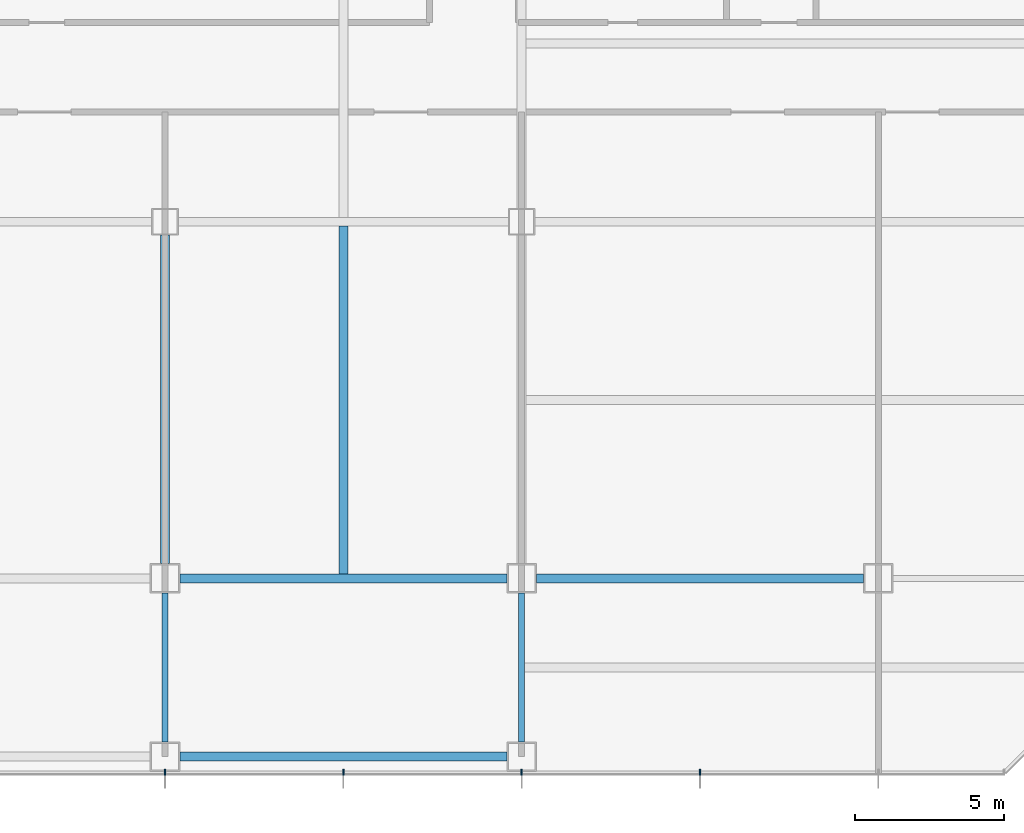
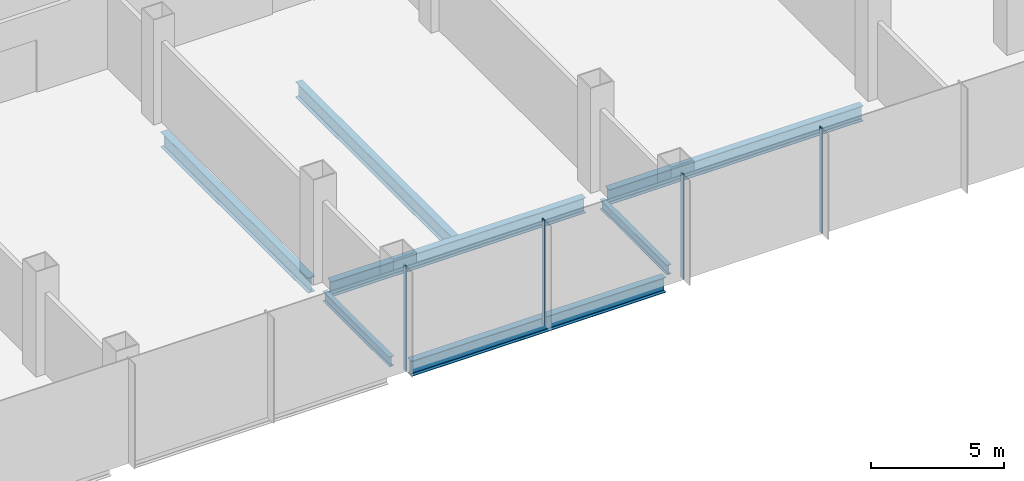
# One storey, part 8 of 33: 7 beams, 4 members, 1 element without a shape of its own.
"""IFC4 building model written with IfcOpenShell, lengths in metres."""

import ifcopenshell
import ifcopenshell.guid

model = None  # the IFC model being written
_history = None  # IfcOwnerHistory: only IFC2X3 demands one
_inside = {}  # id of a spatial element -> (the spatial element, [elements in it])
_under = {}  # id of a project, library or spatial element -> (it, [spatial elements below it])
_declared = {}  # id of a project -> (the project, [libraries it declares])
_typed = {}  # id of a type object -> (the type object, [elements of that type])
_made_of = {}  # id of a material, layer set ... -> (it, [elements and type objects made of it])


def new_model(schema):
    """Start an empty IFC model of exactly this schema.

    Asked for "IFC4X3", IfcOpenShell would pick the latest addendum, in which some entities
    have other attributes; the version numbers below select the first issue.
    IFC2X3 requires an IfcOwnerHistory on every rooted entity: one is made here for all.
    """
    global model, _history
    if schema == "IFC4X3":
        model = ifcopenshell.file(schema_version=(4, 3, 0, 0))
    else:
        model = ifcopenshell.file(schema=schema)
    _inside.clear()
    _under.clear()
    _declared.clear()
    _typed.clear()
    _made_of.clear()
    _history = None
    if model.schema == "IFC2X3":
        org = make("IfcOrganization", Name="unknown")
        user = make(
            "IfcPersonAndOrganization",
            ThePerson=make("IfcPerson", FamilyName="unknown"),
            TheOrganization=org,
        )
        app = make(
            "IfcApplication",
            ApplicationDeveloper=org,
            Version="unknown",
            ApplicationFullName="unknown",
            ApplicationIdentifier="unknown",
        )
        _history = make(
            "IfcOwnerHistory",
            OwningUser=user,
            OwningApplication=app,
            ChangeAction="ADDED",
            CreationDate=0,
        )
    return model


def make(cls, **values):
    """One entity of the class cls with the attributes given. An attribute that is None is left unset."""
    return model.create_entity(
        cls, **{name: value for name, value in values.items() if value is not None}
    )


def rooted(cls, **values):
    """An entity with a GlobalId (a new one), such as an element, a storey or a relation."""
    return make(cls, GlobalId=ifcopenshell.guid.new(), OwnerHistory=_history, **values)


def si_unit(unit_type, name, prefix=None):
    """IfcSIUnit, for example si_unit("LENGTHUNIT", "METRE", prefix="MILLI")."""
    return make("IfcSIUnit", UnitType=unit_type, Prefix=prefix, Name=name)


def assignment(units):
    """IfcUnitAssignment: the units of a project."""
    return None if units is None else make("IfcUnitAssignment", Units=units)


def point(xyz):
    """IfcCartesianPoint."""
    return None if xyz is None else make("IfcCartesianPoint", Coordinates=xyz)


def direction(xyz):
    """IfcDirection."""
    return None if xyz is None else make("IfcDirection", DirectionRatios=xyz)


def frame(location, z_axis=None, x_axis=None):
    """IfcAxis2Placement3D, a coordinate frame: its origin and axes. An axis left out is left unset."""
    return make(
        "IfcAxis2Placement3D",
        Location=point(location),
        Axis=direction(z_axis),
        RefDirection=direction(x_axis),
    )


def frame_2d(location, x_axis=None):
    """IfcAxis2Placement2D, a coordinate frame in the plane: its origin and x axis."""
    return make(
        "IfcAxis2Placement2D", Location=point(location), RefDirection=direction(x_axis)
    )


def origin():
    """The frame at (0, 0, 0) with its axes left unset."""
    return frame((0.0, 0.0, 0.0))


def origin_2d():
    """The frame at (0, 0) in the plane with its x axis left unset."""
    return frame_2d((0.0, 0.0))


def place(relative_to, where):
    """IfcLocalPlacement: puts the frame where relative to a parent placement (None: the world)."""
    return make(
        "IfcLocalPlacement", PlacementRelTo=relative_to, RelativePlacement=where
    )


def context(
    kind, dimensions, precision=None, world=None, true_north=None, identifier=None
):
    """IfcGeometricRepresentationContext, for example the 3D "Model" context."""
    return make(
        "IfcGeometricRepresentationContext",
        ContextIdentifier=identifier,
        ContextType=kind,
        CoordinateSpaceDimension=dimensions,
        Precision=precision,
        WorldCoordinateSystem=world,
        TrueNorth=true_north,
    )


def subcontext(parent, identifier, kind, view, scale=None):
    """IfcGeometricRepresentationSubContext, for example "Body" below "Model"."""
    return make(
        "IfcGeometricRepresentationSubContext",
        ContextIdentifier=identifier,
        ContextType=kind,
        ParentContext=parent,
        TargetScale=scale,
        TargetView=view,
    )


def project(units=None, contexts=None):
    """IfcProject with its units and contexts."""
    return rooted(
        "IfcProject",
        Name="project",
        RepresentationContexts=contexts,
        UnitsInContext=assignment(units),
    )


def spatial(cls, under=None, at=None, **own):
    """A site, building, storey or space (cls), placed at a placement, below another one or the project."""
    s = rooted(cls, ObjectPlacement=at, **own)
    if under is not None:
        _under.setdefault(under.id(), (under, []))[1].append(s)
    return s


def profile(cls, at=None, kind="AREA", **sizes):
    """A parametric profile (cls). Its sizes go by their IFC names, for example OverallWidth=200.0."""
    return make(cls, ProfileType=kind, Position=at, **sizes)


def rectangle(**sizes):
    """IfcRectangleProfileDef."""
    return profile("IfcRectangleProfileDef", **sizes)


def i_section(**sizes):
    """IfcIShapeProfileDef."""
    return profile("IfcIShapeProfileDef", **sizes)


def extrude(swept, where, along, depth):
    """IfcExtrudedAreaSolid: the profile swept, set in the frame where, extruded along a direction by depth."""
    return make(
        "IfcExtrudedAreaSolid",
        SweptArea=swept,
        Position=where,
        ExtrudedDirection=direction(along),
        Depth=depth,
    )


def shape(context_of_items, identifier, shape_type, items):
    """IfcShapeRepresentation: the items that make up one representation, for example the "Body"."""
    return make(
        "IfcShapeRepresentation",
        ContextOfItems=context_of_items,
        RepresentationIdentifier=identifier,
        RepresentationType=shape_type,
        Items=items,
    )


def material(Name=None, Category=None):
    """IfcMaterial."""
    return make("IfcMaterial", Name=Name, Category=Category)


def material_profile(
    of_material, cross_section, Name=None, Category=None, Priority=None
):
    """IfcMaterialProfile: a cross section and its material."""
    return make(
        "IfcMaterialProfile",
        Name=Name,
        Material=of_material,
        Profile=cross_section,
        Priority=Priority,
        Category=Category,
    )


def profile_set(profiles, Name=None, composite=None):
    """IfcMaterialProfileSet."""
    return make(
        "IfcMaterialProfileSet",
        Name=Name,
        MaterialProfiles=profiles,
        CompositeProfile=composite,
    )


def made_of(thing, what):
    """Note that an element or type object is made of a material, layer set ...; save() writes the relation."""
    if what is not None:
        _made_of.setdefault(what.id(), (what, []))[1].append(thing)
    return thing


def type_object(cls, material=None, **own):
    """A type object (cls), such as IfcWallType, which elements share."""
    return made_of(rooted(cls, **own), material)


def element(
    cls,
    number,
    at=None,
    inside=None,
    cuts=None,
    type_object=None,
    material=None,
    context=None,
    identifier="Body",
    shape_type=None,
    held_by="IfcProductDefinitionShape",
    body=None,
    shapes=None,
    **own,
):
    """One element of the class cls, such as IfcWall. Its Tag is "e" and its number.

    at: its placement. inside: the storey or other place that contains it. cuts: it is an
    opening in that element (IfcRelVoidsElement). A single representation is given by context,
    identifier, shape_type and body (its items); several are given by shapes. held_by: the class
    of the entity that holds the representations. save() writes the other relations.
    """
    e = rooted(cls, Tag="e%d" % number, ObjectPlacement=at, **own)
    if body is not None:
        shapes = [shape(context, identifier, shape_type, body)]
    if shapes is not None:
        e.Representation = make(held_by, Representations=shapes)
    if inside is not None:
        _inside.setdefault(inside.id(), (inside, []))[1].append(e)
    if cuts is not None:
        rooted(
            "IfcRelVoidsElement", RelatingBuildingElement=cuts, RelatedOpeningElement=e
        )
    if type_object is not None:
        _typed.setdefault(type_object.id(), (type_object, []))[1].append(e)
    return made_of(e, material)


def aggregate(whole, parts):
    """IfcRelAggregates: a whole, such as a stair, and the parts it consists of."""
    return rooted("IfcRelAggregates", RelatingObject=whole, RelatedObjects=parts)


def save(model, path):
    """Write the relations noted so far, then the file.

    IfcRelAggregates (storeys below a building ...), IfcRelContainedInSpatialStructure (elements
    in a storey), IfcRelDefinesByType, IfcRelAssociatesMaterial and IfcRelDeclares: one each for
    every whole, place, type object, material and project.
    """
    for whole, parts in _under.values():
        aggregate(whole, parts)
    for where, things in _inside.values():
        rooted(
            "IfcRelContainedInSpatialStructure",
            RelatedElements=things,
            RelatingStructure=where,
        )
    for kind, things in _typed.values():
        rooted("IfcRelDefinesByType", RelatedObjects=things, RelatingType=kind)
    for what, things in _made_of.values():
        rooted("IfcRelAssociatesMaterial", RelatedObjects=things, RelatingMaterial=what)
    for by, libraries in _declared.values():
        rooted("IfcRelDeclares", RelatingContext=by, RelatedDefinitions=libraries)
    model.write(path)


model = new_model("IFC4")

# Units and contexts
model_context = context("Model", 3, precision=1e-05, world=origin(), true_north=direction((0.0, 1.0)))
body_context = subcontext(model_context, "Body", "Model", "MODEL_VIEW")
ifc_project = project(units=[si_unit("LENGTHUNIT", "METRE"), si_unit("AREAUNIT", "SQUARE_METRE"), si_unit("VOLUMEUNIT", "CUBIC_METRE"), si_unit("PLANEANGLEUNIT", "RADIAN"), si_unit("MASSUNIT", "GRAM", prefix="KILO")], contexts=[model_context])

# Site, building, storey
site_placement = place(None, origin())
site = spatial("IfcSite", under=ifc_project, at=site_placement, CompositionType="ELEMENT")
building_placement = place(site_placement, origin())
building = spatial("IfcBuilding", under=site, at=building_placement, Name="Sorahane Residences", CompositionType="ELEMENT")
storey_placement = place(building_placement, frame((0.0, 0.0, 25.199951171875)))
storey = spatial("IfcBuildingStorey", under=building, at=storey_placement, Name="L03", CompositionType="ELEMENT", Elevation=25.199951171875)

# Curtain wall, members
ifc_material_1 = material(Name="Dark low-e glass and black anodised aluminium", Category="aluminium")
curtain_wall_type = type_object("IfcCurtainWallType", Name="Curtain wall CW-3 Podium unitised wall", PredefinedType="NOTDEFINED", material=ifc_material_1)
curtain_wall_placement = place(storey_placement, origin())
curtain_wall = element("IfcCurtainWall", 1, at=curtain_wall_placement, inside=storey, type_object=curtain_wall_type, Name="CW-3 curtain wall L03 S1", PredefinedType="NOTDEFINED")
ifc_material_2 = material(Name="Black anodised aluminium", Category="aluminium")
ifc_material_profile_1 = material_profile(ifc_material_2, rectangle(XDim=0.199951171875, YDim=0.050048828125, at=origin_2d()), Name="Curtain wall mullion CW-3 black anodised aluminium 50x200")
ifc_profile_set_1 = profile_set([ifc_material_profile_1], Name="Black anodised aluminium")
member_type = type_object("IfcMemberType", Name="Curtain wall mullion CW-3 black anodised aluminium 50x200", PredefinedType="MULLION", material=ifc_profile_set_1)
member_1_placement = place(storey_placement, frame((36.0, -6.52001953125, -0.39990234375), z_axis=(0.0, 0.0, 1.0), x_axis=(0.0, -1.0, 0.0)))
member_1 = element("IfcMember", 2, at=member_1_placement, type_object=member_type, Name="CW-3 mullion L03 S1.6", PredefinedType="MULLION", context=body_context, shape_type="SweptSolid", body=[
    extrude(rectangle(XDim=0.199951171875, YDim=0.050048828125, at=origin_2d()), origin(), (0.0, 0.0, 1.0), 4.800048828125),
])
member_2_placement = place(storey_placement, frame((42.0, -6.52001953125, -0.39990234375), z_axis=(0.0, 0.0, 1.0), x_axis=(0.0, -1.0, 0.0)))
member_2 = element("IfcMember", 3, at=member_2_placement, type_object=member_type, Name="CW-3 mullion L03 S1.7", PredefinedType="MULLION", context=body_context, shape_type="SweptSolid", body=[
    extrude(rectangle(XDim=0.199951171875, YDim=0.050048828125, at=origin_2d()), origin(), (0.0, 0.0, 1.0), 4.800048828125),
])
member_3_placement = place(storey_placement, frame((48.0, -6.52001953125, -0.39990234375), z_axis=(0.0, 0.0, 1.0), x_axis=(0.0, -1.0, 0.0)))
member_3 = element("IfcMember", 4, at=member_3_placement, type_object=member_type, Name="CW-3 mullion L03 S1.8", PredefinedType="MULLION", context=body_context, shape_type="SweptSolid", body=[
    extrude(rectangle(XDim=0.199951171875, YDim=0.050048828125, at=origin_2d()), origin(), (0.0, 0.0, 1.0), 4.800048828125),
])
member_4_placement = place(storey_placement, frame((54.0, -6.52001953125, -0.39990234375), z_axis=(0.0, 0.0, 1.0), x_axis=(0.0, -1.0, 0.0)))
member_4 = element("IfcMember", 5, at=member_4_placement, type_object=member_type, Name="CW-3 mullion L03 S1.9", PredefinedType="MULLION", context=body_context, shape_type="SweptSolid", body=[
    extrude(rectangle(XDim=0.199951171875, YDim=0.050048828125, at=origin_2d()), origin(), (0.0, 0.0, 1.0), 4.800048828125),
])
aggregate(curtain_wall, [member_1, member_2, member_3, member_4])

# Beams
ifc_material_3 = material(Name="Steel Q355B", Category="steel")
ifc_material_profile_2 = material_profile(ifc_material_3, i_section(OverallWidth=0.199951171875, OverallDepth=0.449951171875, WebThickness=0.009033203125, FlangeThickness=0.013916015625, FilletRadius=0.02001953125, at=origin_2d()), Name="HN 450x200x9x14")
ifc_profile_set_2 = profile_set([ifc_material_profile_2], Name="Steel Q355B")
beam_type_1 = type_object("IfcBeamType", Name="Steel floor beam HN 450x200x9x14 Q355B", PredefinedType="BEAM", material=ifc_profile_set_2)
for number, where, z_axis, x_axis, name in (
    (6, (36.0, -5.5, -0.625), (0.0, 1.0, 0.0), (-1.0, 0.0, 0.0), "Beam L03 053"),
    (7, (48.0, -5.5, -0.625), (0.0, 1.0, 0.0), (-1.0, 0.0, 0.0), "Beam L03 062"),
):
    element("IfcBeam", number, at=place(storey_placement, frame(where, z_axis=z_axis, x_axis=x_axis)), inside=storey, type_object=beam_type_1, Name=name, PredefinedType="BEAM", context=body_context, shape_type="SweptSolid", body=[
        extrude(i_section(OverallWidth=0.199951171875, OverallDepth=0.449951171875, WebThickness=0.009033203125, FlangeThickness=0.013916015625, FilletRadius=0.02001953125, at=origin_2d()), origin(), (0.0, 0.0, 1.0), 5.0),
    ])
ifc_material_4 = material(Name="Steel Q355B", Category="steel")
ifc_material_profile_3 = material_profile(ifc_material_4, i_section(OverallWidth=0.300048828125, OverallDepth=0.699951171875, WebThickness=0.012939453125, FlangeThickness=0.02392578125, FilletRadius=0.028076171875, at=origin_2d()), Name="HN 700x300x13x24")
ifc_profile_set_3 = profile_set([ifc_material_profile_3], Name="Steel Q355B")
beam_type_2 = type_object("IfcBeamType", Name="Steel floor beam HN 700x300x13x24 Q355B", PredefinedType="BEAM", material=ifc_profile_set_3)
for number, where, z_axis, x_axis, name in (
    (8, (36.5, 0.0, -0.75), (1.0, 0.0, 0.0), (0.0, 1.0, 0.0), "Beam L03 004"),
    (9, (48.5, 0.0, -0.75), (1.0, 0.0, 0.0), (0.0, 1.0, 0.0), "Beam L03 005"),
):
    element("IfcBeam", number, at=place(storey_placement, frame(where, z_axis=z_axis, x_axis=x_axis)), inside=storey, type_object=beam_type_2, Name=name, PredefinedType="BEAM", context=body_context, shape_type="SweptSolid", body=[
        extrude(i_section(OverallWidth=0.300048828125, OverallDepth=0.699951171875, WebThickness=0.012939453125, FlangeThickness=0.02392578125, FilletRadius=0.028076171875, at=origin_2d()), origin(), (0.0, 0.0, 1.0), 11.0),
    ])
beam_1_placement = place(storey_placement, frame((36.0, 0.5, -0.75), z_axis=(0.0, 1.0, 0.0), x_axis=(-1.0, 0.0, 0.0)))
element("IfcBeam", 10, at=beam_1_placement, inside=storey, type_object=beam_type_2, Name="Beam L03 054", PredefinedType="BEAM", context=body_context, shape_type="SweptSolid", body=[
    extrude(i_section(OverallWidth=0.300048828125, OverallDepth=0.699951171875, WebThickness=0.012939453125, FlangeThickness=0.02392578125, FilletRadius=0.028076171875, at=origin_2d()), origin(), (0.0, 0.0, 1.0), 11.050048828125),
])
beam_2_placement = place(storey_placement, frame((42.0, 0.14990234375, -0.75), z_axis=(0.0, 1.0, 0.0), x_axis=(-1.0, 0.0, 0.0)))
element("IfcBeam", 11, at=beam_2_placement, inside=storey, type_object=beam_type_2, Name="Beam L03 056", PredefinedType="BEAM", context=body_context, shape_type="SweptSolid", body=[
    extrude(i_section(OverallWidth=0.300048828125, OverallDepth=0.699951171875, WebThickness=0.012939453125, FlangeThickness=0.02392578125, FilletRadius=0.028076171875, at=origin_2d()), origin(), (0.0, 0.0, 1.0), 11.7001953125),
])
beam_3_placement = place(storey_placement, frame((36.5, -6.0, -0.75), z_axis=(1.0, 0.0, 0.0), x_axis=(0.0, 1.0, 0.0)))
element("IfcBeam", 12, at=beam_3_placement, inside=storey, type_object=beam_type_2, Name="Beam L03 081", PredefinedType="BEAM", context=body_context, shape_type="SweptSolid", body=[
    extrude(i_section(OverallWidth=0.300048828125, OverallDepth=0.699951171875, WebThickness=0.012939453125, FlangeThickness=0.02392578125, FilletRadius=0.028076171875, at=origin_2d()), origin(), (0.0, 0.0, 1.0), 11.0),
])

save(model, "model.ifc")
